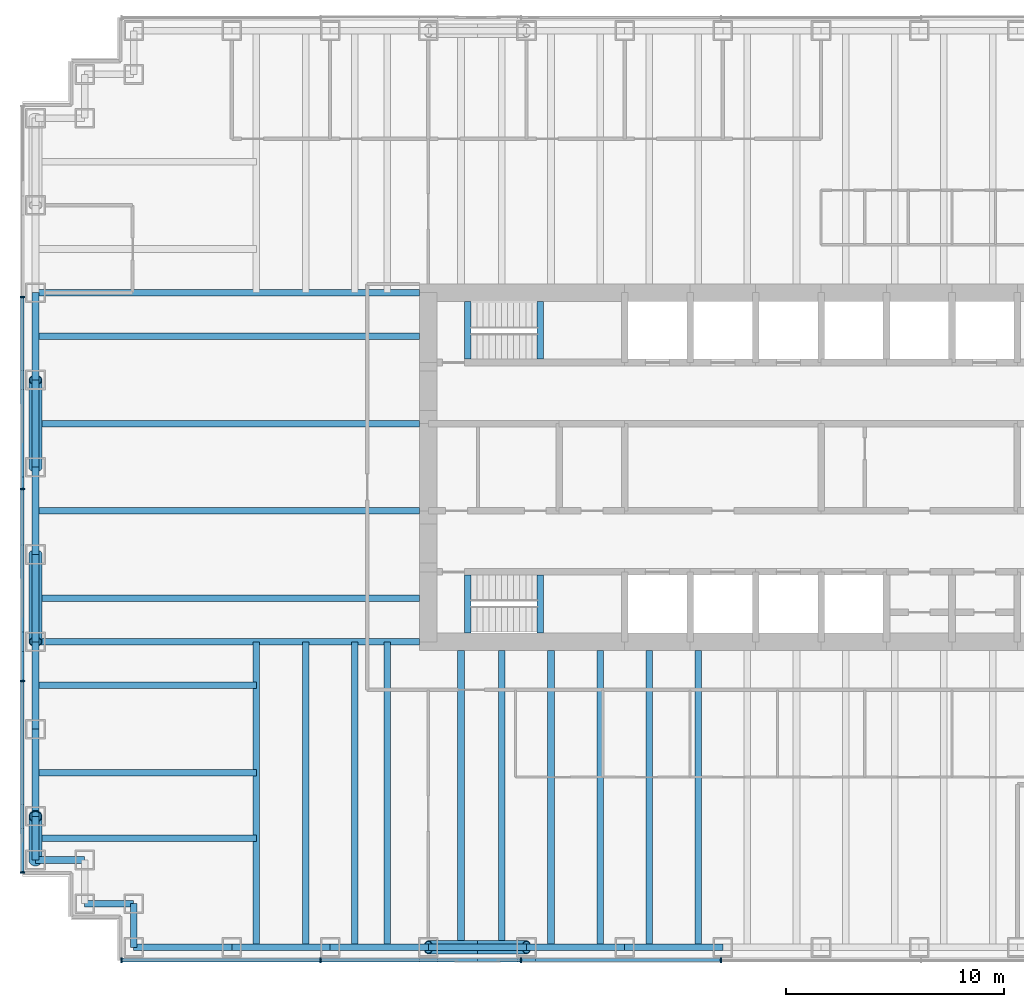
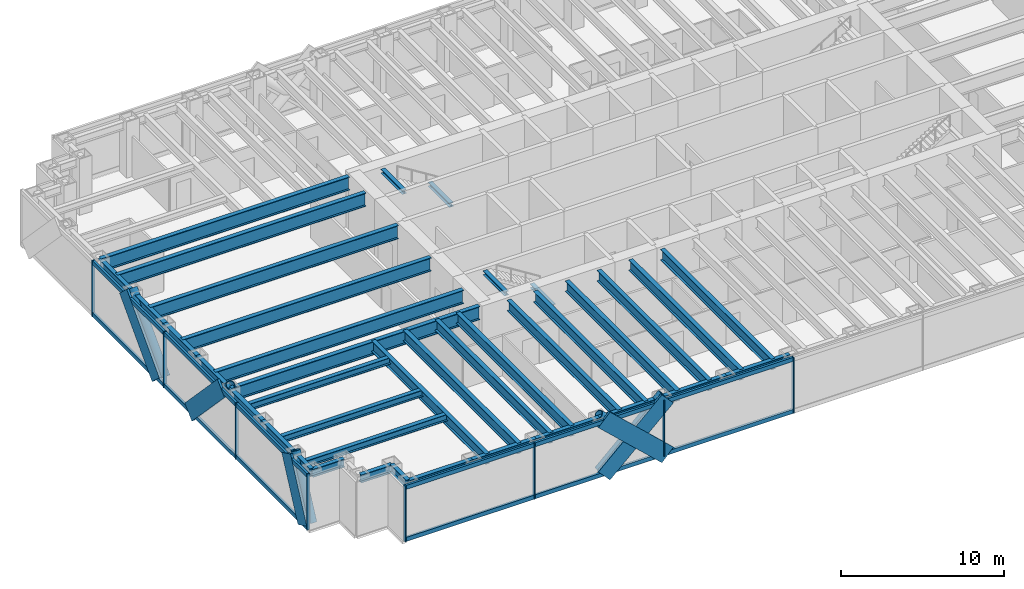
# One storey, part 2 of 15: 39 beams, 30 members, 2 elements without a shape of their own.
"""IFC4 building model written with IfcOpenShell, lengths in metres."""

from ifc_helpers import new_model, si_unit, direction, frame, origin, origin_2d, place, context, subcontext, project, spatial, rectangle, hollow_circle, i_section, extrude, material, material_profile, profile_set, type_object, element, aggregate, save


model = new_model("IFC4")

# Units and contexts
model_context = context("Model", 3, precision=1e-05, world=origin(), true_north=direction((0.0, 1.0)))
body_context = subcontext(model_context, "Body", "Model", "MODEL_VIEW")
ifc_project = project(units=[si_unit("LENGTHUNIT", "METRE"), si_unit("AREAUNIT", "SQUARE_METRE"), si_unit("VOLUMEUNIT", "CUBIC_METRE"), si_unit("PLANEANGLEUNIT", "RADIAN"), si_unit("MASSUNIT", "GRAM", prefix="KILO")], contexts=[model_context])

# Site, building, storey
site_placement = place(None, origin())
site = spatial("IfcSite", under=ifc_project, at=site_placement, CompositionType="ELEMENT")
building_placement = place(site_placement, origin())
building = spatial("IfcBuilding", under=site, at=building_placement, Name="Rheinbord Bourse Tower", CompositionType="ELEMENT")
storey_placement = place(building_placement, frame((0.0, 0.0, 257.199951171875)))
storey = spatial("IfcBuildingStorey", under=building, at=storey_placement, Name="L58", CompositionType="ELEMENT", Elevation=257.199951171875)

# Curtain wall, members
ifc_material_1 = material(Name="Dark glass and black aluminium", Category="aluminium")
curtain_wall_type = type_object("IfcCurtainWallType", Name="CW2 DARK GLASS CURTAIN WALL", PredefinedType="USERDEFINED", material=ifc_material_1)
curtain_wall_1_placement = place(storey_placement, origin())
curtain_wall_1 = element("IfcCurtainWall", 1, at=curtain_wall_1_placement, inside=storey, type_object=curtain_wall_type, Name="Curtain wall CW2 S L58", ObjectType="UNITISED CURTAIN WALL", PredefinedType="USERDEFINED")
ifc_material_2 = material(Name="Black anodised aluminium", Category="aluminium")
ifc_material_profile_1 = material_profile(ifc_material_2, rectangle(XDim=0.159912109375, YDim=1.2099609375, at=origin_2d()), Name="CW2 DIAGONAL MULLION 1210x160")
ifc_profile_set_1 = profile_set([ifc_material_profile_1], Name="Black anodised aluminium")
member_type_1 = type_object("IfcMemberType", Name="CW2 BLACK DIAGONAL MULLION", PredefinedType="USERDEFINED", material=ifc_profile_set_1)
member_1_placement = place(storey_placement, frame((18.0, 1.39990234375, 0.0), z_axis=(0.73105922506, 0.0, 0.682314010889), x_axis=(0.0, 1.0, 0.0)))
member_1 = element("IfcMember", 2, at=member_1_placement, type_object=member_type_1, Name="CW2 diagonal mullion a", ObjectType="DIAGONAL MULLION", PredefinedType="USERDEFINED", context=body_context, shape_type="SweptSolid", body=[
    extrude(rectangle(XDim=0.159912109375, YDim=1.2099609375, at=origin_2d()), origin(), (0.0, 0.0, 1.0), 6.155517578125),
])
member_2_placement = place(storey_placement, frame((22.5, 1.39990234375, 0.0), z_axis=(-0.73105922506, 0.0, 0.682314010889), x_axis=(0.0, -1.0, 0.0)))
member_2 = element("IfcMember", 3, at=member_2_placement, type_object=member_type_1, Name="CW2 diagonal mullion d", ObjectType="DIAGONAL MULLION", PredefinedType="USERDEFINED", context=body_context, shape_type="SweptSolid", body=[
    extrude(rectangle(XDim=0.159912109375, YDim=1.2099609375, at=origin_2d()), origin(), (0.0, 0.0, 1.0), 6.155517578125),
])

curtain_wall_2_placement = place(storey_placement, origin())
curtain_wall_2 = element("IfcCurtainWall", 4, at=curtain_wall_2_placement, inside=storey, type_object=curtain_wall_type, Name="Curtain wall CW2 W L58", ObjectType="UNITISED CURTAIN WALL", PredefinedType="USERDEFINED")
member_3_placement = place(storey_placement, frame((-0.60009765625, 24.0, 0.0), z_axis=(0.0, 0.689659376744, 0.724133926887), x_axis=(-1.0, 0.0, 0.0)))
member_3 = element("IfcMember", 5, at=member_3_placement, type_object=member_type_1, Name="CW2 diagonal mullion a", ObjectType="DIAGONAL MULLION", PredefinedType="USERDEFINED", context=body_context, shape_type="SweptSolid", body=[
    extrude(rectangle(XDim=0.159912109375, YDim=1.2099609375, at=origin_2d()), origin(), (0.0, 0.0, 1.0), 5.800048828125),
])
member_4_placement = place(storey_placement, frame((-0.60009765625, 20.0, 0.0), z_axis=(0.0, -0.689659376744, 0.724133926887), x_axis=(1.0, 0.0, 0.0)))
member_4 = element("IfcMember", 6, at=member_4_placement, type_object=member_type_1, Name="CW2 diagonal mullion b", ObjectType="DIAGONAL MULLION", PredefinedType="USERDEFINED", context=body_context, shape_type="SweptSolid", body=[
    extrude(rectangle(XDim=0.159912109375, YDim=1.2099609375, at=origin_2d()), origin(), (0.0, 0.0, 1.0), 5.800048828125),
])
member_5_placement = place(storey_placement, frame((-0.60009765625, 6.0, 0.0), z_axis=(0.0, 0.429937654825, 0.902858578607), x_axis=(-1.0, 0.0, 0.0)))
member_5 = element("IfcMember", 7, at=member_5_placement, type_object=member_type_1, Name="CW2 diagonal mullion d", ObjectType="DIAGONAL MULLION", PredefinedType="USERDEFINED", context=body_context, shape_type="SweptSolid", body=[
    extrude(rectangle(XDim=0.159912109375, YDim=1.2099609375, at=origin_2d()), origin(), (0.0, 0.0, 1.0), 4.65185546875),
])

# Member
ifc_material_3 = material(Name="Black anodised aluminium", Category="aluminium")
ifc_material_profile_2 = material_profile(ifc_material_3, rectangle(XDim=0.219970703125, YDim=0.070068359375, at=origin_2d()), Name="CW2 MULLION 70x220")
ifc_profile_set_2 = profile_set([ifc_material_profile_2], Name="Black anodised aluminium")
member_type_2 = type_object("IfcMemberType", Name="CW2 BLACK MULLION", PredefinedType="MULLION", material=ifc_profile_set_2)
member_6_placement = place(storey_placement, frame((3.93505859375, 1.39990234375, 0.0), z_axis=(0.0, 0.0, 1.0), x_axis=(0.0, 1.0, 0.0)))
member_6 = element("IfcMember", 8, at=member_6_placement, type_object=member_type_2, Name="CW2 mullion 1", PredefinedType="MULLION", context=body_context, shape_type="SweptSolid", body=[
    extrude(rectangle(XDim=0.219970703125, YDim=0.070068359375, at=origin_2d()), origin(), (0.0, 0.0, 1.0), 4.199951171875),
])

member_7_placement = place(storey_placement, frame((13.071533203125, 1.39990234375, 0.0), z_axis=(0.0, 0.0, 1.0), x_axis=(0.0, 1.0, 0.0)))
member_7 = element("IfcMember", 9, at=member_7_placement, type_object=member_type_2, Name="CW2 mullion 2", PredefinedType="MULLION", context=body_context, shape_type="SweptSolid", body=[
    extrude(rectangle(XDim=0.219970703125, YDim=0.070068359375, at=origin_2d()), origin(), (0.0, 0.0, 1.0), 4.199951171875),
])

member_8_placement = place(storey_placement, frame((22.242919921875, 1.39990234375, 0.0), z_axis=(0.0, 0.0, 1.0), x_axis=(0.0, 1.0, 0.0)))
member_8 = element("IfcMember", 10, at=member_8_placement, type_object=member_type_2, Name="CW2 mullion 3", PredefinedType="MULLION", context=body_context, shape_type="SweptSolid", body=[
    extrude(rectangle(XDim=0.219970703125, YDim=0.070068359375, at=origin_2d()), origin(), (0.0, 0.0, 1.0), 4.199951171875),
])

member_9_placement = place(storey_placement, frame((31.414306640625, 1.39990234375, 0.0), z_axis=(0.0, 0.0, 1.0), x_axis=(0.0, 1.0, 0.0)))
member_9 = element("IfcMember", 11, at=member_9_placement, type_object=member_type_2, Name="CW2 mullion 4", PredefinedType="MULLION", context=body_context, shape_type="SweptSolid", body=[
    extrude(rectangle(XDim=0.219970703125, YDim=0.070068359375, at=origin_2d()), origin(), (0.0, 0.0, 1.0), 4.199951171875),
])

member_10_placement = place(storey_placement, frame((-0.60009765625, 31.800048828125, 0.0), z_axis=(0.0, 0.0, 1.0), x_axis=(1.0, 0.0, 0.0)))
member_10 = element("IfcMember", 12, at=member_10_placement, type_object=member_type_2, Name="CW2 mullion 2", PredefinedType="MULLION", context=body_context, shape_type="SweptSolid", body=[
    extrude(rectangle(XDim=0.219970703125, YDim=0.070068359375, at=origin_2d()), origin(), (0.0, 0.0, 1.0), 4.199951171875),
])

member_11_placement = place(storey_placement, frame((-0.60009765625, 23.0, 0.0), z_axis=(0.0, 0.0, 1.0), x_axis=(1.0, 0.0, 0.0)))
member_11 = element("IfcMember", 13, at=member_11_placement, type_object=member_type_2, Name="CW2 mullion 3", PredefinedType="MULLION", context=body_context, shape_type="SweptSolid", body=[
    extrude(rectangle(XDim=0.219970703125, YDim=0.070068359375, at=origin_2d()), origin(), (0.0, 0.0, 1.0), 4.199951171875),
])

member_12_placement = place(storey_placement, frame((-0.60009765625, 14.199951171875, 0.0), z_axis=(0.0, 0.0, 1.0), x_axis=(1.0, 0.0, 0.0)))
member_12 = element("IfcMember", 14, at=member_12_placement, type_object=member_type_2, Name="CW2 mullion 4", PredefinedType="MULLION", context=body_context, shape_type="SweptSolid", body=[
    extrude(rectangle(XDim=0.219970703125, YDim=0.070068359375, at=origin_2d()), origin(), (0.0, 0.0, 1.0), 4.199951171875),
])

member_13_placement = place(storey_placement, frame((-0.60009765625, 5.43505859375, 0.0), z_axis=(0.0, 0.0, 1.0), x_axis=(1.0, 0.0, 0.0)))
member_13 = element("IfcMember", 15, at=member_13_placement, type_object=member_type_2, Name="CW2 mullion 5", PredefinedType="MULLION", context=body_context, shape_type="SweptSolid", body=[
    extrude(rectangle(XDim=0.219970703125, YDim=0.070068359375, at=origin_2d()), origin(), (0.0, 0.0, 1.0), 4.199951171875),
])

ifc_material_4 = material(Name="Black anodised aluminium", Category="aluminium")
ifc_material_profile_3 = material_profile(ifc_material_4, rectangle(XDim=0.159912109375, YDim=0.300048828125, at=origin_2d()), Name="CW2 TRANSOM 300x160")
ifc_profile_set_3 = profile_set([ifc_material_profile_3], Name="Black anodised aluminium")
member_type_3 = type_object("IfcMemberType", Name="CW2 BLACK TRANSOM", PredefinedType="USERDEFINED", material=ifc_profile_set_3)
member_14_placement = place(storey_placement, frame((3.969970703125, 1.39990234375, 0.150146484375), z_axis=(1.0, 0.0, 0.0), x_axis=(0.0, 1.0, 0.0)))
member_14 = element("IfcMember", 16, at=member_14_placement, type_object=member_type_3, Name="CW2 transom 1.1", ObjectType="TRANSOM", PredefinedType="USERDEFINED", context=body_context, shape_type="SweptSolid", body=[
    extrude(rectangle(XDim=0.159912109375, YDim=0.300048828125, at=origin_2d()), origin(), (0.0, 0.0, 1.0), 9.06640625),
])

member_15_placement = place(storey_placement, frame((3.969970703125, 1.39990234375, 4.050048828125), z_axis=(1.0, 0.0, 0.0), x_axis=(0.0, 1.0, 0.0)))
member_15 = element("IfcMember", 17, at=member_15_placement, type_object=member_type_3, Name="CW2 transom 1.2", ObjectType="TRANSOM", PredefinedType="USERDEFINED", context=body_context, shape_type="SweptSolid", body=[
    extrude(rectangle(XDim=0.159912109375, YDim=0.300048828125, at=origin_2d()), origin(), (0.0, 0.0, 1.0), 9.06640625),
])

member_16_placement = place(storey_placement, frame((13.1064453125, 1.39990234375, 0.150146484375), z_axis=(1.0, 0.0, 0.0), x_axis=(0.0, 1.0, 0.0)))
member_16 = element("IfcMember", 18, at=member_16_placement, type_object=member_type_3, Name="CW2 transom 2.1", ObjectType="TRANSOM", PredefinedType="USERDEFINED", context=body_context, shape_type="SweptSolid", body=[
    extrude(rectangle(XDim=0.159912109375, YDim=0.300048828125, at=origin_2d()), origin(), (0.0, 0.0, 1.0), 9.101318359375),
])

member_17_placement = place(storey_placement, frame((13.1064453125, 1.39990234375, 4.050048828125), z_axis=(1.0, 0.0, 0.0), x_axis=(0.0, 1.0, 0.0)))
member_17 = element("IfcMember", 19, at=member_17_placement, type_object=member_type_3, Name="CW2 transom 2.2", ObjectType="TRANSOM", PredefinedType="USERDEFINED", context=body_context, shape_type="SweptSolid", body=[
    extrude(rectangle(XDim=0.159912109375, YDim=0.300048828125, at=origin_2d()), origin(), (0.0, 0.0, 1.0), 9.101318359375),
])

member_18_placement = place(storey_placement, frame((22.27783203125, 1.39990234375, 0.150146484375), z_axis=(1.0, 0.0, 0.0), x_axis=(0.0, 1.0, 0.0)))
member_18 = element("IfcMember", 20, at=member_18_placement, type_object=member_type_3, Name="CW2 transom 3.1", ObjectType="TRANSOM", PredefinedType="USERDEFINED", context=body_context, shape_type="SweptSolid", body=[
    extrude(rectangle(XDim=0.159912109375, YDim=0.300048828125, at=origin_2d()), origin(), (0.0, 0.0, 1.0), 9.1015625),
])

member_19_placement = place(storey_placement, frame((22.27783203125, 1.39990234375, 4.050048828125), z_axis=(1.0, 0.0, 0.0), x_axis=(0.0, 1.0, 0.0)))
member_19 = element("IfcMember", 21, at=member_19_placement, type_object=member_type_3, Name="CW2 transom 3.2", ObjectType="TRANSOM", PredefinedType="USERDEFINED", context=body_context, shape_type="SweptSolid", body=[
    extrude(rectangle(XDim=0.159912109375, YDim=0.300048828125, at=origin_2d()), origin(), (0.0, 0.0, 1.0), 9.1015625),
])

aggregate(curtain_wall_1, [member_6, member_7, member_8, member_9, member_14, member_15, member_16, member_17, member_18, member_19, member_1, member_2])

member_20_placement = place(storey_placement, frame((-0.60009765625, 31.764892578125, 0.150146484375), z_axis=(0.0, -1.0, 0.0), x_axis=(1.0, 0.0, 0.0)))
member_20 = element("IfcMember", 22, at=member_20_placement, type_object=member_type_3, Name="CW2 transom 2.1", ObjectType="TRANSOM", PredefinedType="USERDEFINED", context=body_context, shape_type="SweptSolid", body=[
    extrude(rectangle(XDim=0.159912109375, YDim=0.300048828125, at=origin_2d()), origin(), (0.0, 0.0, 1.0), 8.72998046875),
])

member_21_placement = place(storey_placement, frame((-0.60009765625, 31.764892578125, 4.050048828125), z_axis=(0.0, -1.0, 0.0), x_axis=(1.0, 0.0, 0.0)))
member_21 = element("IfcMember", 23, at=member_21_placement, type_object=member_type_3, Name="CW2 transom 2.2", ObjectType="TRANSOM", PredefinedType="USERDEFINED", context=body_context, shape_type="SweptSolid", body=[
    extrude(rectangle(XDim=0.159912109375, YDim=0.300048828125, at=origin_2d()), origin(), (0.0, 0.0, 1.0), 8.72998046875),
])

member_22_placement = place(storey_placement, frame((-0.60009765625, 22.965087890625, 0.150146484375), z_axis=(0.0, -1.0, 0.0), x_axis=(1.0, 0.0, 0.0)))
member_22 = element("IfcMember", 24, at=member_22_placement, type_object=member_type_3, Name="CW2 transom 3.1", ObjectType="TRANSOM", PredefinedType="USERDEFINED", context=body_context, shape_type="SweptSolid", body=[
    extrude(rectangle(XDim=0.159912109375, YDim=0.300048828125, at=origin_2d()), origin(), (0.0, 0.0, 1.0), 8.72998046875),
])

member_23_placement = place(storey_placement, frame((-0.60009765625, 22.965087890625, 4.050048828125), z_axis=(0.0, -1.0, 0.0), x_axis=(1.0, 0.0, 0.0)))
member_23 = element("IfcMember", 25, at=member_23_placement, type_object=member_type_3, Name="CW2 transom 3.2", ObjectType="TRANSOM", PredefinedType="USERDEFINED", context=body_context, shape_type="SweptSolid", body=[
    extrude(rectangle(XDim=0.159912109375, YDim=0.300048828125, at=origin_2d()), origin(), (0.0, 0.0, 1.0), 8.72998046875),
])

member_24_placement = place(storey_placement, frame((-0.60009765625, 14.1650390625, 0.150146484375), z_axis=(0.0, -1.0, 0.0), x_axis=(1.0, 0.0, 0.0)))
member_24 = element("IfcMember", 26, at=member_24_placement, type_object=member_type_3, Name="CW2 transom 4.1", ObjectType="TRANSOM", PredefinedType="USERDEFINED", context=body_context, shape_type="SweptSolid", body=[
    extrude(rectangle(XDim=0.159912109375, YDim=0.300048828125, at=origin_2d()), origin(), (0.0, 0.0, 1.0), 8.695068359375),
])

member_25_placement = place(storey_placement, frame((-0.60009765625, 14.1650390625, 4.050048828125), z_axis=(0.0, -1.0, 0.0), x_axis=(1.0, 0.0, 0.0)))
member_25 = element("IfcMember", 27, at=member_25_placement, type_object=member_type_3, Name="CW2 transom 4.2", ObjectType="TRANSOM", PredefinedType="USERDEFINED", context=body_context, shape_type="SweptSolid", body=[
    extrude(rectangle(XDim=0.159912109375, YDim=0.300048828125, at=origin_2d()), origin(), (0.0, 0.0, 1.0), 8.695068359375),
])

aggregate(curtain_wall_2, [member_10, member_11, member_12, member_13, member_20, member_21, member_22, member_23, member_24, member_25, member_3, member_4, member_5])

# Beams
ifc_material_5 = material(Name="Steel S460", Category="steel")
ifc_material_profile_4 = material_profile(ifc_material_5, i_section(OverallWidth=0.302001953125, OverallDepth=1.008056640625, WebThickness=0.02099609375, FlangeThickness=0.0400390625, at=origin_2d()), Name="HEM 1000")
ifc_profile_set_4 = profile_set([ifc_material_profile_4], Name="Steel S460")
beam_type_1 = type_object("IfcBeamType", Name="END BEAM HEM 1000", PredefinedType="BEAM", material=ifc_profile_set_4)
for number, where, z_axis, x_axis, name in (
    (28, (0.0, 18.0, 3.5361328125), (1.0, 0.0, 0.0), (0.0, 1.0, 0.0), "End beam west 18 L59"),
    (29, (0.0, 22.0, 3.5361328125), (1.0, 0.0, 0.0), (0.0, 1.0, 0.0), "End beam west 22 L59"),
    (30, (0.0, 26.0, 3.5361328125), (1.0, 0.0, 0.0), (0.0, 1.0, 0.0), "End beam west 26 L59"),
    (31, (0.0, 30.0, 3.5361328125), (1.0, 0.0, 0.0), (0.0, 1.0, 0.0), "End beam west 30 L59"),
):
    element("IfcBeam", number, at=place(storey_placement, frame(where, z_axis=z_axis, x_axis=x_axis)), inside=storey, type_object=beam_type_1, Name=name, PredefinedType="BEAM", context=body_context, shape_type="SweptSolid", body=[
        extrude(i_section(OverallWidth=0.302001953125, OverallDepth=1.008056640625, WebThickness=0.02099609375, FlangeThickness=0.0400390625, at=origin_2d()), origin(), (0.0, 0.0, 1.0), 17.60009765625),
    ])
ifc_material_6 = material(Name="Steel S460", Category="steel")
ifc_material_profile_5 = material_profile(ifc_material_6, i_section(OverallWidth=0.300048828125, OverallDepth=0.800048828125, WebThickness=0.017578125, FlangeThickness=0.032958984375, at=origin_2d()), Name="HEB 800")
ifc_profile_set_5 = profile_set([ifc_material_profile_5], Name="Steel S460")
beam_type_2 = type_object("IfcBeamType", Name="FLOOR BEAM HEB 800", PredefinedType="BEAM", material=ifc_profile_set_5)
for number, where, z_axis, x_axis, name in (
    (32, (10.125, 2.0, 3.64013671875), (0.0, 1.0, 0.0), (-1.0, 0.0, 0.0), "Floor beam S-9a L59"),
    (33, (12.375, 2.0, 3.64013671875), (0.0, 1.0, 0.0), (-1.0, 0.0, 0.0), "Floor beam S-9b L59"),
    (34, (14.625, 2.0, 3.64013671875), (0.0, 1.0, 0.0), (-1.0, 0.0, 0.0), "Floor beam S-13.5a L59"),
    (35, (16.125, 2.0, 3.64013671875), (0.0, 1.0, 0.0), (-1.0, 0.0, 0.0), "Floor beam S-13.5b L59"),
):
    element("IfcBeam", number, at=place(storey_placement, frame(where, z_axis=z_axis, x_axis=x_axis)), inside=storey, type_object=beam_type_2, Name=name, PredefinedType="BEAM", context=body_context, shape_type="SweptSolid", body=[
        extrude(i_section(OverallWidth=0.300048828125, OverallDepth=0.800048828125, WebThickness=0.017578125, FlangeThickness=0.032958984375, at=origin_2d()), origin(), (0.0, 0.0, 1.0), 14.0),
    ])
for number, where, z_axis, x_axis, name in (
    (36, (19.5, 2.0, 3.64013671875), (0.0, 1.0, 0.0), (-1.0, 0.0, 0.0), "Floor beam S-18a L59"),
    (37, (21.375, 2.0, 3.64013671875), (0.0, 1.0, 0.0), (-1.0, 0.0, 0.0), "Floor beam S-18b L59"),
    (38, (23.625, 2.0, 3.64013671875), (0.0, 1.0, 0.0), (-1.0, 0.0, 0.0), "Floor beam S-22.5a L59"),
    (39, (25.875, 2.0, 3.64013671875), (0.0, 1.0, 0.0), (-1.0, 0.0, 0.0), "Floor beam S-22.5b L59"),
    (40, (28.125, 2.0, 3.64013671875), (0.0, 1.0, 0.0), (-1.0, 0.0, 0.0), "Floor beam S-27a L59"),
    (41, (30.375, 2.0, 3.64013671875), (0.0, 1.0, 0.0), (-1.0, 0.0, 0.0), "Floor beam S-27b L59"),
):
    element("IfcBeam", number, at=place(storey_placement, frame(where, z_axis=z_axis, x_axis=x_axis)), inside=storey, type_object=beam_type_2, Name=name, PredefinedType="BEAM", context=body_context, shape_type="SweptSolid", body=[
        extrude(i_section(OverallWidth=0.300048828125, OverallDepth=0.800048828125, WebThickness=0.017578125, FlangeThickness=0.032958984375, at=origin_2d()), origin(), (0.0, 0.0, 1.0), 13.60009765625),
    ])
ifc_material_7 = material(Name="Steel S460", Category="steel")
ifc_material_profile_6 = material_profile(ifc_material_7, i_section(OverallWidth=0.302001953125, OverallDepth=1.008056640625, WebThickness=0.02099609375, FlangeThickness=0.0400390625, at=origin_2d()), Name="HEM 1000")
ifc_profile_set_6 = profile_set([ifc_material_profile_6], Name="Steel S460")
beam_type_3 = type_object("IfcBeamType", Name="GIRDER HEM 1000", PredefinedType="BEAM", material=ifc_profile_set_6)
for number, where, z_axis, x_axis, name in (
    (42, (0.0, 16.0, 3.5361328125), (1.0, 0.0, 0.0), (0.0, 1.0, 0.0), "Girder west 16 L59"),
    (43, (0.0, 32.0, 3.5361328125), (1.0, 0.0, 0.0), (0.0, 1.0, 0.0), "Girder west 32 L59"),
):
    element("IfcBeam", number, at=place(storey_placement, frame(where, z_axis=z_axis, x_axis=x_axis)), inside=storey, type_object=beam_type_3, Name=name, PredefinedType="BEAM", context=body_context, shape_type="SweptSolid", body=[
        extrude(i_section(OverallWidth=0.302001953125, OverallDepth=1.008056640625, WebThickness=0.02099609375, FlangeThickness=0.0400390625, at=origin_2d()), origin(), (0.0, 0.0, 1.0), 17.60009765625),
    ])
ifc_material_8 = material(Name="Steel S460", Category="steel")
ifc_material_profile_7 = material_profile(ifc_material_8, i_section(OverallWidth=0.300048828125, OverallDepth=0.300048828125, WebThickness=0.010986328125, FlangeThickness=0.01904296875, at=origin_2d()), Name="HEB 300")
ifc_profile_set_7 = profile_set([ifc_material_profile_7], Name="Steel S460")
beam_type_4 = type_object("IfcBeamType", Name="LANDING TRIMMER HEB 300", PredefinedType="BEAM", material=ifc_profile_set_7)
for number, where, z_axis, x_axis, name in (
    (44, (23.1298828125, 16.39990234375, 1.75), (0.0, 1.0, 0.0), (-1.0, 0.0, 0.0), "Landing trimmer ST1 L58"),
    (45, (19.800048828125, 16.39990234375, 3.89013671875), (0.0, 1.0, 0.0), (-1.0, 0.0, 0.0), "Well trimmer ST1 under L59"),
    (46, (23.1298828125, 28.949951171875, 1.75), (0.0, 1.0, 0.0), (-1.0, 0.0, 0.0), "Landing trimmer ST2 L58"),
    (47, (19.800048828125, 28.949951171875, 3.89013671875), (0.0, 1.0, 0.0), (-1.0, 0.0, 0.0), "Well trimmer ST2 under L59"),
):
    element("IfcBeam", number, at=place(storey_placement, frame(where, z_axis=z_axis, x_axis=x_axis)), inside=storey, type_object=beam_type_4, Name=name, PredefinedType="BEAM", context=body_context, shape_type="SweptSolid", body=[
        extrude(i_section(OverallWidth=0.300048828125, OverallDepth=0.300048828125, WebThickness=0.010986328125, FlangeThickness=0.01904296875, at=origin_2d()), origin(), (0.0, 0.0, 1.0), 2.650146484375),
    ])

# Members
ifc_material_9 = material(Name="Steel S460", Category="steel")
ifc_material_profile_8 = material_profile(ifc_material_9, hollow_circle(Radius=0.304931640625, WallThickness=0.0400390625, at=origin_2d()), Name="CHS 610x40")
ifc_profile_set_8 = profile_set([ifc_material_profile_8], Name="Steel S460")
member_type_4 = type_object("IfcMemberType", Name="MEGABRACE CHS 610x40", PredefinedType="BRACE", material=ifc_profile_set_8)
for number, where, z_axis, x_axis, name in (
    (48, (18.0, 2.0, 0.0), (0.73105922506, 0.0, 0.682314010889), (0.0, 1.0, 0.0), "Megabrace S face line a L58"),
    (49, (22.5, 2.0, 0.0), (-0.73105922506, 0.0, 0.682314010889), (0.0, -1.0, 0.0), "Megabrace S face line d L58"),
):
    element("IfcMember", number, at=place(storey_placement, frame(where, z_axis=z_axis, x_axis=x_axis)), inside=storey, type_object=member_type_4, Name=name, PredefinedType="BRACE", context=body_context, shape_type="SweptSolid", body=[
        extrude(hollow_circle(Radius=0.304931640625, WallThickness=0.0400390625, at=origin_2d()), origin(), (0.0, 0.0, 1.0), 6.155517578125),
    ])
for number, where, z_axis, x_axis, name in (
    (50, (0.0, 24.0, 0.0), (0.0, 0.689659376744, 0.724133926887), (-1.0, 0.0, 0.0), "Megabrace W face line a L58"),
    (51, (0.0, 20.0, 0.0), (0.0, -0.689659376744, 0.724133926887), (1.0, 0.0, 0.0), "Megabrace W face line b L58"),
):
    element("IfcMember", number, at=place(storey_placement, frame(where, z_axis=z_axis, x_axis=x_axis)), inside=storey, type_object=member_type_4, Name=name, PredefinedType="BRACE", context=body_context, shape_type="SweptSolid", body=[
        extrude(hollow_circle(Radius=0.304931640625, WallThickness=0.0400390625, at=origin_2d()), origin(), (0.0, 0.0, 1.0), 5.800048828125),
    ])
member_26_placement = place(storey_placement, frame((0.0, 6.0, 0.0), z_axis=(0.0, 0.429937654825, 0.902858578607), x_axis=(-1.0, 0.0, 0.0)))
element("IfcMember", 52, at=member_26_placement, inside=storey, type_object=member_type_4, Name="Megabrace W face line d L58", PredefinedType="BRACE", context=body_context, shape_type="SweptSolid", body=[
    extrude(hollow_circle(Radius=0.304931640625, WallThickness=0.0400390625, at=origin_2d()), origin(), (0.0, 0.0, 1.0), 4.65185546875),
])

# Beams
ifc_material_10 = material(Name="Steel S460", Category="steel")
ifc_material_profile_9 = material_profile(ifc_material_10, i_section(OverallWidth=0.300048828125, OverallDepth=0.60009765625, WebThickness=0.015380859375, FlangeThickness=0.030029296875, at=origin_2d()), Name="HEB 600")
ifc_profile_set_9 = profile_set([ifc_material_profile_9], Name="Steel S460")
beam_type_5 = type_object("IfcBeamType", Name="SPANDREL HEB 600", PredefinedType="SPANDREL", material=ifc_profile_set_9)
for number, where, z_axis, x_axis, name in (
    (53, (4.5, 2.0, 3.739990234375), (1.0, 0.0, 0.0), (0.0, 1.0, 0.0), "Spandrel SW-E-S-9 under L59"),
    (54, (9.0, 2.0, 3.739990234375), (1.0, 0.0, 0.0), (0.0, 1.0, 0.0), "Spandrel S-9-S-13.5 under L59"),
    (55, (13.5, 2.0, 3.739990234375), (1.0, 0.0, 0.0), (0.0, 1.0, 0.0), "Spandrel S-13.5-S-18 under L59"),
    (56, (18.0, 2.0, 3.739990234375), (1.0, 0.0, 0.0), (0.0, 1.0, 0.0), "Spandrel S-18-S-22.5 under L59"),
    (57, (22.5, 2.0, 3.739990234375), (1.0, 0.0, 0.0), (0.0, 1.0, 0.0), "Spandrel S-22.5-S-27 under L59"),
    (58, (27.0, 2.0, 3.739990234375), (1.0, 0.0, 0.0), (0.0, 1.0, 0.0), "Spandrel S-27-S-31.5 under L59"),
):
    element("IfcBeam", number, at=place(storey_placement, frame(where, z_axis=z_axis, x_axis=x_axis)), inside=storey, type_object=beam_type_5, Name=name, PredefinedType="SPANDREL", context=body_context, shape_type="SweptSolid", body=[
        extrude(i_section(OverallWidth=0.300048828125, OverallDepth=0.60009765625, WebThickness=0.015380859375, FlangeThickness=0.030029296875, at=origin_2d()), origin(), (0.0, 0.0, 1.0), 4.5),
    ])
for number, where, z_axis, x_axis, name in (
    (59, (0.0, 32.0, 3.739990234375), (0.0, -1.0, 0.0), (1.0, 0.0, 0.0), "Spandrel W-32-W-28 under L59"),
    (60, (0.0, 28.0, 3.739990234375), (0.0, -1.0, 0.0), (1.0, 0.0, 0.0), "Spandrel W-28-W-24 under L59"),
    (61, (0.0, 24.0, 3.739990234375), (0.0, -1.0, 0.0), (1.0, 0.0, 0.0), "Spandrel W-24-W-20 under L59"),
    (62, (0.0, 20.0, 3.739990234375), (0.0, -1.0, 0.0), (1.0, 0.0, 0.0), "Spandrel W-20-W-16 under L59"),
    (63, (0.0, 16.0, 3.739990234375), (0.0, -1.0, 0.0), (1.0, 0.0, 0.0), "Spandrel W-16-W-12 under L59"),
    (64, (0.0, 12.0, 3.739990234375), (0.0, -1.0, 0.0), (1.0, 0.0, 0.0), "Spandrel W-12-W-8 under L59"),
):
    element("IfcBeam", number, at=place(storey_placement, frame(where, z_axis=z_axis, x_axis=x_axis)), inside=storey, type_object=beam_type_5, Name=name, PredefinedType="SPANDREL", context=body_context, shape_type="SweptSolid", body=[
        extrude(i_section(OverallWidth=0.300048828125, OverallDepth=0.60009765625, WebThickness=0.015380859375, FlangeThickness=0.030029296875, at=origin_2d()), origin(), (0.0, 0.0, 1.0), 4.0),
    ])
beam_1_placement = place(storey_placement, frame((0.0, 8.0, 3.739990234375), z_axis=(0.0, -1.0, 0.0), x_axis=(1.0, 0.0, 0.0)))
element("IfcBeam", 65, at=beam_1_placement, inside=storey, type_object=beam_type_5, Name="Spandrel W-8-SW-A under L59", PredefinedType="SPANDREL", context=body_context, shape_type="SweptSolid", body=[
    extrude(i_section(OverallWidth=0.300048828125, OverallDepth=0.60009765625, WebThickness=0.015380859375, FlangeThickness=0.030029296875, at=origin_2d()), origin(), (0.0, 0.0, 1.0), 2.0),
])
for number, where, z_axis, x_axis, name in (
    (66, (0.0, 6.0, 3.739990234375), (1.0, 0.0, 0.0), (0.0, 1.0, 0.0), "Spandrel SW-A-SW-B under L59"),
    (67, (2.25, 4.0, 3.739990234375), (1.0, 0.0, 0.0), (0.0, 1.0, 0.0), "Spandrel SW-C-SW-D under L59"),
):
    element("IfcBeam", number, at=place(storey_placement, frame(where, z_axis=z_axis, x_axis=x_axis)), inside=storey, type_object=beam_type_5, Name=name, PredefinedType="SPANDREL", context=body_context, shape_type="SweptSolid", body=[
        extrude(i_section(OverallWidth=0.300048828125, OverallDepth=0.60009765625, WebThickness=0.015380859375, FlangeThickness=0.030029296875, at=origin_2d()), origin(), (0.0, 0.0, 1.0), 2.25),
    ])
beam_2_placement = place(storey_placement, frame((4.5, 4.0, 3.739990234375), z_axis=(0.0, -1.0, 0.0), x_axis=(1.0, 0.0, 0.0)))
element("IfcBeam", 68, at=beam_2_placement, inside=storey, type_object=beam_type_5, Name="Spandrel SW-D-SW-E under L59", PredefinedType="SPANDREL", context=body_context, shape_type="SweptSolid", body=[
    extrude(i_section(OverallWidth=0.300048828125, OverallDepth=0.60009765625, WebThickness=0.015380859375, FlangeThickness=0.030029296875, at=origin_2d()), origin(), (0.0, 0.0, 1.0), 2.0),
])
ifc_material_11 = material(Name="Steel S460", Category="steel")
ifc_material_profile_10 = material_profile(ifc_material_11, i_section(OverallWidth=0.300048828125, OverallDepth=0.5, WebThickness=0.014404296875, FlangeThickness=0.028076171875, at=origin_2d()), Name="HEB 500")
ifc_profile_set_10 = profile_set([ifc_material_profile_10], Name="Steel S460")
beam_type_6 = type_object("IfcBeamType", Name="TIE BEAM HEB 500", PredefinedType="JOIST", material=ifc_profile_set_10)
for number, where, z_axis, x_axis, name in (
    (69, (0.0, 7.0, 3.7900390625), (1.0, 0.0, 0.0), (0.0, 1.0, 0.0), "Tie west 7 L59"),
    (70, (0.0, 10.0, 3.7900390625), (1.0, 0.0, 0.0), (0.0, 1.0, 0.0), "Tie west 10 L59"),
    (71, (0.0, 14.0, 3.7900390625), (1.0, 0.0, 0.0), (0.0, 1.0, 0.0), "Tie west 14 L59"),
):
    element("IfcBeam", number, at=place(storey_placement, frame(where, z_axis=z_axis, x_axis=x_axis)), inside=storey, type_object=beam_type_6, Name=name, PredefinedType="JOIST", context=body_context, shape_type="SweptSolid", body=[
        extrude(i_section(OverallWidth=0.300048828125, OverallDepth=0.5, WebThickness=0.014404296875, FlangeThickness=0.028076171875, at=origin_2d()), origin(), (0.0, 0.0, 1.0), 10.125),
    ])

save(model, "model.ifc")
